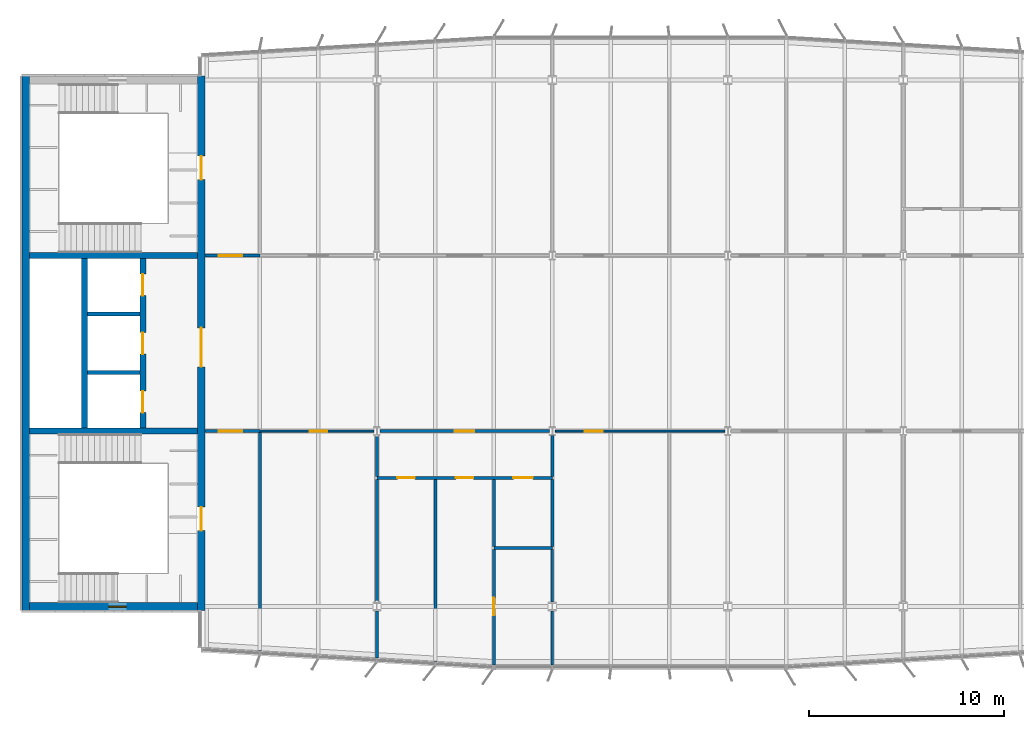
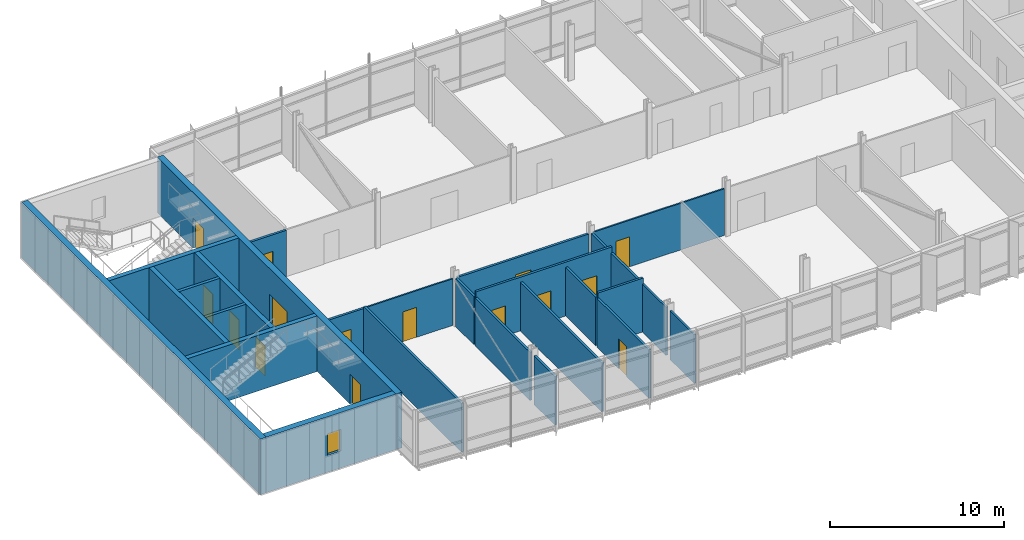
# One storey, part 12 of 18: 27 walls, 15 doors, 1 window, 16 openings.
"""IFC4 building model written with IfcOpenShell, lengths in metres."""

from ifc_helpers import new_model, si_unit, direction, frame, frame_2d, origin, place, context, subcontext, project, spatial, rectangle, extrude, material, layer, layer_set, type_object, element, fill, save


model = new_model("IFC4")

# Units and contexts
model_context = context("Model", 3, precision=1e-05, world=origin(), true_north=direction((0.0, 1.0)))
body_context = subcontext(model_context, "Body", "Model", "MODEL_VIEW")
ifc_project = project(units=[si_unit("LENGTHUNIT", "METRE"), si_unit("AREAUNIT", "SQUARE_METRE"), si_unit("VOLUMEUNIT", "CUBIC_METRE"), si_unit("PLANEANGLEUNIT", "RADIAN"), si_unit("MASSUNIT", "GRAM", prefix="KILO")], contexts=[model_context])

# Site, building, storey
site_placement = place(None, origin())
site = spatial("IfcSite", under=ifc_project, at=site_placement, CompositionType="ELEMENT")
building_placement = place(site_placement, origin())
building = spatial("IfcBuilding", under=site, at=building_placement, Name="Azimuth Sports and Learning Centre", CompositionType="ELEMENT")
storey_placement = place(building_placement, frame((0.0, 0.0, 55.800048828125)))
storey = spatial("IfcBuildingStorey", under=building, at=storey_placement, Name="L12", CompositionType="ELEMENT", Elevation=55.800048828125)

# Walls
ifc_material_1 = material(Name="Dense masonry blockwork", Category="masonry")
ifc_layer_1 = layer(ifc_material_1, 0.199951171875)
ifc_layer_set_1 = layer_set([ifc_layer_1], Name="Dense masonry blockwork")
wall_type_1 = type_object("IfcWallType", Name="Blockwork wall 200 EI 120", PredefinedType="SOLIDWALL", material=ifc_layer_set_1)
for number, where, z_axis, x_axis, name in (
    (1, (57.14990234375, 102.0, 0.0), (0.0, 0.0, 1.0), (1.0, 0.0, 0.0), "SD-W-1-L12"),
    (2, (57.14990234375, 105.0, 0.0), (0.0, 0.0, 1.0), (1.0, 0.0, 0.0), "SD-W-2-L12"),
):
    element("IfcWall", number, at=place(storey_placement, frame(where, z_axis=z_axis, x_axis=x_axis)), inside=storey, type_object=wall_type_1, Name=name, PredefinedType="SOLIDWALL", context=body_context, shape_type="SweptSolid", body=[
        extrude(rectangle(XDim=2.7001953125, YDim=0.199951171875, at=frame_2d((1.35009765625, 0.0))), origin(), (0.0, 0.0, 1.0), 3.89990234375),
    ])

# Wall, opening, door
ifc_material_2 = material(Name="Gypsum board on steel studs", Category="steel")
ifc_layer_2 = layer(ifc_material_2, 0.10009765625)
ifc_layer_set_2 = layer_set([ifc_layer_2], Name="Gypsum board on steel studs")
wall_type_2 = type_object("IfcWallType", Name="Partition 100 EI 30", PredefinedType="PARTITIONING", material=ifc_layer_set_2)
wall_1_placement = place(storey_placement, frame((66.0, 99.0, 0.0), z_axis=(0.0, 0.0, 1.0), x_axis=(1.0, 0.0, 0.0)))
wall_1 = element("IfcWall", 3, at=wall_1_placement, inside=storey, type_object=wall_type_2, Name="Partition Head of School Office 12.07 / Learning Street", PredefinedType="PARTITIONING", context=body_context, shape_type="SweptSolid", body=[
    extrude(rectangle(XDim=5.846435546875, YDim=0.10009765625, at=frame_2d((2.92333984375, 0.0))), origin(), (0.0, 0.0, 1.0), 3.27001953125),
])
opening_1_placement = place(wall_1_placement, frame((2.550048828125, 0.0, 0.0)))
opening_1 = element("IfcOpeningElement", 4, at=opening_1_placement, cuts=wall_1, Name="Opening D12-015", PredefinedType="OPENING", context=body_context, shape_type="SweptSolid", body=[
    extrude(rectangle(XDim=0.89990234375, YDim=2.10009765625, at=frame_2d((0.449951171875, 1.050048828125))), frame((0.0, 0.06103515625, 0.0), z_axis=(0.0, -1.0, 0.0), x_axis=(1.0, 0.0, 0.0)), (0.0, 0.0, 1.0), 0.1220703125),
])
ifc_material_3 = material(Name="Painted steel door set", Category="steel")
door_type_1 = type_object("IfcDoorType", Name="Fire door FD30S 900 x 2100", OperationType="NOTDEFINED", PredefinedType="DOOR", material=ifc_material_3)
door_1_placement = place(opening_1_placement, frame((0.89990234375, 0.0, 0.0), z_axis=(0.0, 0.0, 1.0), x_axis=(-1.0, 0.0, 0.0)))
door_1 = element("IfcDoor", 5, at=door_1_placement, inside=storey, type_object=door_type_1, Name="Door Head of School Office 12.07 / Learning Street", OperationType="SINGLE_SWING_LEFT", OverallHeight=2.10009765625, OverallWidth=0.89990234375, PredefinedType="DOOR", context=body_context, shape_type="SweptSolid", body=[
    extrude(rectangle(XDim=0.89990234375, YDim=2.10009765625, at=frame_2d((0.449951171875, 1.050048828125))), frame((0.0, 0.02490234375, 0.0), z_axis=(0.0, -1.0, 0.0), x_axis=(1.0, 0.0, 0.0)), (0.0, 0.0, 1.0), 0.050048828125),
])
fill(opening_1, door_1)

wall_2_placement = place(storey_placement, frame((81.153564453125, 99.0, 0.0), z_axis=(0.0, 0.0, 1.0), x_axis=(1.0, 0.0, 0.0)))
wall_2 = element("IfcWall", 6, at=wall_2_placement, inside=storey, type_object=wall_type_2, Name="Partition Meeting Room 12.13 / Staff Room 12.14", PredefinedType="PARTITIONING", context=body_context, shape_type="SweptSolid", body=[
    extrude(rectangle(XDim=8.69287109375, YDim=0.10009765625, at=frame_2d((4.346435546875, 0.0))), origin(), (0.0, 0.0, 1.0), 3.27001953125),
])
opening_2_placement = place(wall_2_placement, frame((1.521484375, 0.0, 0.0)))
opening_2 = element("IfcOpeningElement", 7, at=opening_2_placement, cuts=wall_2, Name="Opening D12-017", PredefinedType="OPENING", context=body_context, shape_type="SweptSolid", body=[
    extrude(rectangle(XDim=0.89990234375, YDim=2.10009765625, at=frame_2d((0.449951171875, 1.050048828125))), frame((0.0, 0.06103515625, 0.0), z_axis=(0.0, -1.0, 0.0), x_axis=(1.0, 0.0, 0.0)), (0.0, 0.0, 1.0), 0.1220703125),
])
door_2_placement = place(opening_2_placement, frame((0.89990234375, 0.0, 0.0), z_axis=(0.0, 0.0, 1.0), x_axis=(-1.0, 0.0, 0.0)))
door_2 = element("IfcDoor", 8, at=door_2_placement, inside=storey, type_object=door_type_1, Name="Door Meeting Room 12.13 / Learning Street", OperationType="SINGLE_SWING_RIGHT", OverallHeight=2.10009765625, OverallWidth=0.89990234375, PredefinedType="DOOR", context=body_context, shape_type="SweptSolid", body=[
    extrude(rectangle(XDim=0.89990234375, YDim=2.10009765625, at=frame_2d((0.449951171875, 1.050048828125))), frame((0.0, 0.02490234375, 0.0), z_axis=(0.0, -1.0, 0.0), x_axis=(1.0, 0.0, 0.0)), (0.0, 0.0, 1.0), 0.050048828125),
])
fill(opening_2, door_2)

# Walls
ifc_material_4 = material(Name="Gypsum board on steel studs, acoustic", Category="steel")
ifc_layer_3 = layer(ifc_material_4, 0.125)
ifc_layer_set_3 = layer_set([ifc_layer_3], Name="Gypsum board on steel studs, acoustic")
wall_type_3 = type_object("IfcWallType", Name="Partition 125 EI 60", PredefinedType="PARTITIONING", material=ifc_layer_set_3)
wall_3_placement = place(storey_placement, frame((81.0, 87.0, 0.0), z_axis=(0.0, 0.0, 1.0), x_axis=(0.0, 1.0, 0.0)))
element("IfcWall", 9, at=wall_3_placement, inside=storey, type_object=wall_type_3, Name="Partition Cleaner Store 12.12 / Meeting Room 12.13", PredefinedType="PARTITIONING", context=body_context, shape_type="SweptSolid", body=[
    extrude(rectangle(XDim=2.7724609375, YDim=0.125, at=frame_2d((1.38623046875, 0.0))), origin(), (0.0, 0.0, 1.0), 3.409912109375),
])
wall_4_placement = place(storey_placement, frame((81.0, 90.2275390625, 0.0), z_axis=(0.0, 0.0, 1.0), x_axis=(0.0, 1.0, 0.0)))
element("IfcWall", 10, at=wall_4_placement, inside=storey, type_object=wall_type_3, Name="Partition Cleaner Store 12.12 / Meeting Room 12.13", PredefinedType="PARTITIONING", context=body_context, shape_type="SweptSolid", body=[
    extrude(rectangle(XDim=2.697509765625, YDim=0.125, at=frame_2d((1.3486328125, 0.0))), origin(), (0.0, 0.0, 1.0), 3.369873046875),
])
ifc_material_5 = material(Name="Lightweight blockwork, rendered", Category="masonry")
ifc_layer_4 = layer(ifc_material_5, 0.14990234375)
ifc_layer_set_4 = layer_set([ifc_layer_4], Name="Lightweight blockwork, rendered")
wall_type_4 = type_object("IfcWallType", Name="Partition 150 EI 60", PredefinedType="PARTITIONING", material=ifc_layer_set_4)
wall_5_placement = place(storey_placement, frame((78.0, 93.0, 0.0), z_axis=(0.0, 0.0, 1.0), x_axis=(1.0, 0.0, 0.0)))
element("IfcWall", 11, at=wall_5_placement, inside=storey, type_object=wall_type_4, Name="Partition Accessible WC 12.11 / Cleaner Store 12.12", PredefinedType="PARTITIONING", context=body_context, shape_type="SweptSolid", body=[
    extrude(rectangle(XDim=3.0, YDim=0.14990234375, at=frame_2d((1.5, 0.0))), origin(), (0.0, 0.0, 1.0), 3.77001953125),
])

# Wall, openings, doors
wall_6_placement = place(storey_placement, frame((72.0, 96.60009765625, 0.0), z_axis=(0.0, 0.0, 1.0), x_axis=(1.0, 0.0, 0.0)))
wall_6 = element("IfcWall", 12, at=wall_6_placement, inside=storey, type_object=wall_type_4, Name="Partition WC Lobby 12.08 / Men WC 12.09", PredefinedType="PARTITIONING", context=body_context, shape_type="SweptSolid", body=[
    extrude(rectangle(XDim=9.0, YDim=0.14990234375, at=frame_2d((4.5, 0.0))), origin(), (0.0, 0.0, 1.0), 3.77001953125),
])
opening_3_placement = place(wall_6_placement, frame((1.050048828125, 0.0, 0.0)))
opening_3 = element("IfcOpeningElement", 13, at=opening_3_placement, cuts=wall_6, Name="Opening D12-028", PredefinedType="OPENING", context=body_context, shape_type="SweptSolid", body=[
    extrude(rectangle(XDim=0.89990234375, YDim=2.10009765625, at=frame_2d((0.449951171875, 1.050048828125))), frame((0.0, 0.0859375, 0.0), z_axis=(0.0, -1.0, 0.0), x_axis=(1.0, 0.0, 0.0)), (0.0, 0.0, 1.0), 0.171875),
])
opening_4_placement = place(wall_6_placement, frame((4.050048828125, 0.0, 0.0)))
opening_4 = element("IfcOpeningElement", 14, at=opening_4_placement, cuts=wall_6, Name="Opening D12-029", PredefinedType="OPENING", context=body_context, shape_type="SweptSolid", body=[
    extrude(rectangle(XDim=0.89990234375, YDim=2.10009765625, at=frame_2d((0.449951171875, 1.050048828125))), frame((0.0, 0.0859375, 0.0), z_axis=(0.0, -1.0, 0.0), x_axis=(1.0, 0.0, 0.0)), (0.0, 0.0, 1.0), 0.171875),
])
opening_5_placement = place(wall_6_placement, frame((7.0, 0.0, 0.0)))
opening_5 = element("IfcOpeningElement", 15, at=opening_5_placement, cuts=wall_6, Name="Opening D12-030", PredefinedType="OPENING", context=body_context, shape_type="SweptSolid", body=[
    extrude(rectangle(XDim=1.0, YDim=2.10009765625, at=frame_2d((0.5, 1.050048828125))), frame((0.0, 0.0859375, 0.0), z_axis=(0.0, -1.0, 0.0), x_axis=(1.0, 0.0, 0.0)), (0.0, 0.0, 1.0), 0.171875),
])
ifc_material_6 = material(Name="Painted steel door set", Category="steel")
door_type_2 = type_object("IfcDoorType", Name="Fire door FD60 1000 x 2100", OperationType="NOTDEFINED", PredefinedType="DOOR", material=ifc_material_6)
door_3_placement = place(opening_5_placement, frame((1.0, 0.0, 0.0), z_axis=(0.0, 0.0, 1.0), x_axis=(-1.0, 0.0, 0.0)))
door_3 = element("IfcDoor", 16, at=door_3_placement, inside=storey, type_object=door_type_2, Name="Door WC Lobby 12.08 / Accessible WC 12.11", OperationType="SINGLE_SWING_RIGHT", OverallHeight=2.10009765625, OverallWidth=1.0, PredefinedType="DOOR", context=body_context, shape_type="SweptSolid", body=[
    extrude(rectangle(XDim=1.0, YDim=2.10009765625, at=frame_2d((0.5, 1.050048828125))), frame((0.0, 0.02490234375, 0.0), z_axis=(0.0, -1.0, 0.0), x_axis=(1.0, 0.0, 0.0)), (0.0, 0.0, 1.0), 0.050048828125),
])
fill(opening_5, door_3)
ifc_material_7 = material(Name="Painted steel door set", Category="steel")
door_type_3 = type_object("IfcDoorType", Name="Fire door FD60 900 x 2100", OperationType="NOTDEFINED", PredefinedType="DOOR", material=ifc_material_7)
door_4_placement = place(opening_3_placement, origin())
door_4 = element("IfcDoor", 17, at=door_4_placement, inside=storey, type_object=door_type_3, Name="Door WC Lobby 12.08 / Men WC 12.09", OperationType="SINGLE_SWING_LEFT", OverallHeight=2.10009765625, OverallWidth=0.89990234375, PredefinedType="DOOR", context=body_context, shape_type="SweptSolid", body=[
    extrude(rectangle(XDim=0.89990234375, YDim=2.10009765625, at=frame_2d((0.449951171875, 1.050048828125))), frame((0.0, 0.02490234375, 0.0), z_axis=(0.0, -1.0, 0.0), x_axis=(1.0, 0.0, 0.0)), (0.0, 0.0, 1.0), 0.050048828125),
])
fill(opening_3, door_4)
door_5_placement = place(opening_4_placement, origin())
door_5 = element("IfcDoor", 18, at=door_5_placement, inside=storey, type_object=door_type_3, Name="Door WC Lobby 12.08 / Women WC 12.10", OperationType="SINGLE_SWING_LEFT", OverallHeight=2.10009765625, OverallWidth=0.89990234375, PredefinedType="DOOR", context=body_context, shape_type="SweptSolid", body=[
    extrude(rectangle(XDim=0.89990234375, YDim=2.10009765625, at=frame_2d((0.449951171875, 1.050048828125))), frame((0.0, 0.02490234375, 0.0), z_axis=(0.0, -1.0, 0.0), x_axis=(1.0, 0.0, 0.0)), (0.0, 0.0, 1.0), 0.050048828125),
])
fill(opening_4, door_5)

# Wall, opening, door
wall_7_placement = place(storey_placement, frame((63.199951171875, 99.0, 0.0), z_axis=(0.0, 0.0, 1.0), x_axis=(1.0, 0.0, 0.0)))
wall_7 = element("IfcWall", 19, at=wall_7_placement, inside=storey, type_object=wall_type_4, Name="Partition Stair Lobby W1 12.01 / Learning Street", PredefinedType="PARTITIONING", context=body_context, shape_type="SweptSolid", body=[
    extrude(rectangle(XDim=2.800048828125, YDim=0.14990234375, at=frame_2d((1.39990234375, 0.0))), origin(), (0.0, 0.0, 1.0), 3.27001953125),
])
opening_6_placement = place(wall_7_placement, frame((0.699951171875, 0.0, 0.0)))
opening_6 = element("IfcOpeningElement", 20, at=opening_6_placement, cuts=wall_7, Name="Opening D12-011", PredefinedType="OPENING", context=body_context, shape_type="SweptSolid", body=[
    extrude(rectangle(XDim=1.199951171875, YDim=2.10009765625, at=frame_2d((0.60009765625, 1.050048828125))), frame((0.0, 0.0859375, 0.0), z_axis=(0.0, -1.0, 0.0), x_axis=(1.0, 0.0, 0.0)), (0.0, 0.0, 1.0), 0.171875),
])
ifc_material_8 = material(Name="Painted steel door set", Category="steel")
door_type_4 = type_object("IfcDoorType", Name="Fire door FD60 1200 x 2100", OperationType="NOTDEFINED", PredefinedType="DOOR", material=ifc_material_8)
door_6_placement = place(opening_6_placement, frame((1.199951171875, 0.0, 0.0), z_axis=(0.0, 0.0, 1.0), x_axis=(-1.0, 0.0, 0.0)))
door_6 = element("IfcDoor", 21, at=door_6_placement, inside=storey, type_object=door_type_4, Name="Door Stair Lobby W1 12.01 / Learning Street", OperationType="SINGLE_SWING_RIGHT", OverallHeight=2.10009765625, OverallWidth=1.199951171875, PredefinedType="DOOR", context=body_context, shape_type="SweptSolid", body=[
    extrude(rectangle(XDim=1.199951171875, YDim=2.10009765625, at=frame_2d((0.60009765625, 1.050048828125))), frame((0.0, 0.02490234375, 0.0), z_axis=(0.0, -1.0, 0.0), x_axis=(1.0, 0.0, 0.0)), (0.0, 0.0, 1.0), 0.050048828125),
])
fill(opening_6, door_6)

wall_8_placement = place(storey_placement, frame((72.153564453125, 99.0, 0.0), z_axis=(0.0, 0.0, 1.0), x_axis=(1.0, 0.0, 0.0)))
wall_8 = element("IfcWall", 22, at=wall_8_placement, inside=storey, type_object=wall_type_4, Name="Partition WC Lobby 12.08 / Learning Street", PredefinedType="PARTITIONING", context=body_context, shape_type="SweptSolid", body=[
    extrude(rectangle(XDim=8.69287109375, YDim=0.14990234375, at=frame_2d((4.346435546875, 0.0))), origin(), (0.0, 0.0, 1.0), 3.27001953125),
])
opening_7_placement = place(wall_8_placement, frame((3.846435546875, 0.0, 0.0)))
opening_7 = element("IfcOpeningElement", 23, at=opening_7_placement, cuts=wall_8, Name="Opening D12-016", PredefinedType="OPENING", context=body_context, shape_type="SweptSolid", body=[
    extrude(rectangle(XDim=1.0, YDim=2.10009765625, at=frame_2d((0.5, 1.050048828125))), frame((0.0, 0.0859375, 0.0), z_axis=(0.0, -1.0, 0.0), x_axis=(1.0, 0.0, 0.0)), (0.0, 0.0, 1.0), 0.171875),
])
door_7_placement = place(opening_7_placement, frame((1.0, 0.0, 0.0), z_axis=(0.0, 0.0, 1.0), x_axis=(-1.0, 0.0, 0.0)))
door_7 = element("IfcDoor", 24, at=door_7_placement, inside=storey, type_object=door_type_2, Name="Door WC Lobby 12.08 / Learning Street", OperationType="SINGLE_SWING_RIGHT", OverallHeight=2.10009765625, OverallWidth=1.0, PredefinedType="DOOR", context=body_context, shape_type="SweptSolid", body=[
    extrude(rectangle(XDim=1.0, YDim=2.10009765625, at=frame_2d((0.5, 1.050048828125))), frame((0.0, 0.02490234375, 0.0), z_axis=(0.0, -1.0, 0.0), x_axis=(1.0, 0.0, 0.0)), (0.0, 0.0, 1.0), 0.050048828125),
])
fill(opening_7, door_7)

wall_9_placement = place(storey_placement, frame((63.199951171875, 108.0, 0.0), z_axis=(0.0, 0.0, 1.0), x_axis=(1.0, 0.0, 0.0)))
wall_9 = element("IfcWall", 25, at=wall_9_placement, inside=storey, type_object=wall_type_4, Name="Partition Stair Lobby W2 12.02 / Learning Street", PredefinedType="PARTITIONING", context=body_context, shape_type="SweptSolid", body=[
    extrude(rectangle(XDim=2.800048828125, YDim=0.14990234375, at=frame_2d((1.39990234375, 0.0))), origin(), (0.0, 0.0, 1.0), 3.27001953125),
])
opening_8_placement = place(wall_9_placement, frame((0.699951171875, 0.0, 0.0)))
opening_8 = element("IfcOpeningElement", 26, at=opening_8_placement, cuts=wall_9, Name="Opening D12-012", PredefinedType="OPENING", context=body_context, shape_type="SweptSolid", body=[
    extrude(rectangle(XDim=1.199951171875, YDim=2.10009765625, at=frame_2d((0.60009765625, 1.050048828125))), frame((0.0, 0.0859375, 0.0), z_axis=(0.0, -1.0, 0.0), x_axis=(1.0, 0.0, 0.0)), (0.0, 0.0, 1.0), 0.171875),
])
door_8_placement = place(opening_8_placement, origin())
door_8 = element("IfcDoor", 27, at=door_8_placement, inside=storey, type_object=door_type_4, Name="Door Stair Lobby W2 12.02 / Learning Street", OperationType="SINGLE_SWING_LEFT", OverallHeight=2.10009765625, OverallWidth=1.199951171875, PredefinedType="DOOR", context=body_context, shape_type="SweptSolid", body=[
    extrude(rectangle(XDim=1.199951171875, YDim=2.10009765625, at=frame_2d((0.60009765625, 1.050048828125))), frame((0.0, 0.02490234375, 0.0), z_axis=(0.0, -1.0, 0.0), x_axis=(1.0, 0.0, 0.0)), (0.0, 0.0, 1.0), 0.050048828125),
])
fill(opening_8, door_8)

# Walls
wall_10_placement = place(storey_placement, frame((66.0, 87.719970703125, 0.0), z_axis=(0.0, 0.0, 1.0), x_axis=(0.0, 1.0, 0.0)))
element("IfcWall", 28, at=wall_10_placement, inside=storey, type_object=wall_type_4, Name="Partition Stair Lobby W1 12.01 / Head of School Office 12.07", PredefinedType="PARTITIONING", context=body_context, shape_type="SweptSolid", body=[
    extrude(rectangle(XDim=11.205078125, YDim=0.14990234375, at=frame_2d((5.6025390625, 0.0))), origin(), (0.0, 0.0, 1.0), 3.409912109375),
])
wall_11_placement = place(storey_placement, frame((72.0, 87.360107421875, 0.0), z_axis=(0.0, 0.0, 1.0), x_axis=(0.0, 1.0, 0.0)))
element("IfcWall", 29, at=wall_11_placement, inside=storey, type_object=wall_type_4, Name="Partition Head of School Office 12.07 / WC Lobby 12.08", PredefinedType="PARTITIONING", context=body_context, shape_type="SweptSolid", body=[
    extrude(rectangle(XDim=2.412353515625, YDim=0.14990234375, at=frame_2d((1.2060546875, 0.0))), origin(), (0.0, 0.0, 1.0), 3.409912109375),
])
wall_12_placement = place(storey_placement, frame((72.0, 90.2275390625, 0.0), z_axis=(0.0, 0.0, 1.0), x_axis=(0.0, 1.0, 0.0)))
element("IfcWall", 30, at=wall_12_placement, inside=storey, type_object=wall_type_4, Name="Partition Head of School Office 12.07 / WC Lobby 12.08", PredefinedType="PARTITIONING", context=body_context, shape_type="SweptSolid", body=[
    extrude(rectangle(XDim=6.29736328125, YDim=0.14990234375, at=frame_2d((3.148681640625, 0.0))), origin(), (0.0, 0.0, 1.0), 3.369873046875),
])
wall_13_placement = place(storey_placement, frame((72.0, 96.675048828125, 0.0), z_axis=(0.0, 0.0, 1.0), x_axis=(0.0, 1.0, 0.0)))
element("IfcWall", 31, at=wall_13_placement, inside=storey, type_object=wall_type_4, Name="Partition Head of School Office 12.07 / WC Lobby 12.08", PredefinedType="PARTITIONING", context=body_context, shape_type="SweptSolid", body=[
    extrude(rectangle(XDim=2.10888671875, YDim=0.14990234375, at=frame_2d((1.054443359375, 0.0))), origin(), (0.0, 0.0, 1.0), 3.369873046875),
])
wall_14_placement = place(storey_placement, frame((75.0, 87.179931640625, 0.0), z_axis=(0.0, 0.0, 1.0), x_axis=(0.0, 1.0, 0.0)))
element("IfcWall", 32, at=wall_14_placement, inside=storey, type_object=wall_type_4, Name="Partition Men WC 12.09 / Women WC 12.10", PredefinedType="PARTITIONING", context=body_context, shape_type="SweptSolid", body=[
    extrude(rectangle(XDim=9.344970703125, YDim=0.14990234375, at=frame_2d((4.67236328125, 0.0))), origin(), (0.0, 0.0, 1.0), 3.409912109375),
])

# Wall, opening, door
wall_15_placement = place(storey_placement, frame((78.0, 87.0, 0.0), z_axis=(0.0, 0.0, 1.0), x_axis=(0.0, 1.0, 0.0)))
wall_15 = element("IfcWall", 33, at=wall_15_placement, inside=storey, type_object=wall_type_4, Name="Partition Women WC 12.10 / Accessible WC 12.11", PredefinedType="PARTITIONING", context=body_context, shape_type="SweptSolid", body=[
    extrude(rectangle(XDim=5.925048828125, YDim=0.14990234375, at=frame_2d((2.96240234375, 0.0))), origin(), (0.0, 0.0, 1.0), 3.409912109375),
])
opening_9_placement = place(wall_15_placement, frame((2.550048828125, 0.0, 0.0)))
opening_9 = element("IfcOpeningElement", 34, at=opening_9_placement, cuts=wall_15, Name="Opening D12-031", PredefinedType="OPENING", context=body_context, shape_type="SweptSolid", body=[
    extrude(rectangle(XDim=0.89990234375, YDim=2.10009765625, at=frame_2d((0.449951171875, 1.050048828125))), frame((0.0, 0.0859375, 0.0), z_axis=(0.0, -1.0, 0.0), x_axis=(1.0, 0.0, 0.0)), (0.0, 0.0, 1.0), 0.171875),
])
door_9_placement = place(opening_9_placement, frame((0.89990234375, 0.0, 0.0), z_axis=(0.0, 0.0, 1.0), x_axis=(-1.0, 0.0, 0.0)))
door_9 = element("IfcDoor", 35, at=door_9_placement, inside=storey, type_object=door_type_3, Name="Door Women WC 12.10 / Cleaner Store 12.12", OperationType="SINGLE_SWING_LEFT", OverallHeight=2.10009765625, OverallWidth=0.89990234375, PredefinedType="DOOR", context=body_context, shape_type="SweptSolid", body=[
    extrude(rectangle(XDim=0.89990234375, YDim=2.10009765625, at=frame_2d((0.449951171875, 1.050048828125))), frame((0.0, 0.02490234375, 0.0), z_axis=(0.0, -1.0, 0.0), x_axis=(1.0, 0.0, 0.0)), (0.0, 0.0, 1.0), 0.050048828125),
])
fill(opening_9, door_9)

# Walls
wall_16_placement = place(storey_placement, frame((78.0, 93.074951171875, 0.0), z_axis=(0.0, 0.0, 1.0), x_axis=(0.0, 1.0, 0.0)))
element("IfcWall", 36, at=wall_16_placement, inside=storey, type_object=wall_type_4, Name="Partition Women WC 12.10 / Accessible WC 12.11", PredefinedType="PARTITIONING", context=body_context, shape_type="SweptSolid", body=[
    extrude(rectangle(XDim=3.449951171875, YDim=0.14990234375, at=frame_2d((1.72509765625, 0.0))), origin(), (0.0, 0.0, 1.0), 3.409912109375),
])
wall_17_placement = place(storey_placement, frame((81.0, 93.074951171875, 0.0), z_axis=(0.0, 0.0, 1.0), x_axis=(0.0, 1.0, 0.0)))
element("IfcWall", 37, at=wall_17_placement, inside=storey, type_object=wall_type_4, Name="Partition WC Lobby 12.08 / Accessible WC 12.11", PredefinedType="PARTITIONING", context=body_context, shape_type="SweptSolid", body=[
    extrude(rectangle(XDim=3.449951171875, YDim=0.14990234375, at=frame_2d((1.72509765625, 0.0))), origin(), (0.0, 0.0, 1.0), 3.369873046875),
])
wall_18_placement = place(storey_placement, frame((81.0, 96.675048828125, 0.0), z_axis=(0.0, 0.0, 1.0), x_axis=(0.0, 1.0, 0.0)))
element("IfcWall", 38, at=wall_18_placement, inside=storey, type_object=wall_type_4, Name="Partition WC Lobby 12.08 / Accessible WC 12.11", PredefinedType="PARTITIONING", context=body_context, shape_type="SweptSolid", body=[
    extrude(rectangle(XDim=2.10888671875, YDim=0.14990234375, at=frame_2d((1.054443359375, 0.0))), origin(), (0.0, 0.0, 1.0), 3.369873046875),
])
ifc_material_9 = material(Name="Concrete C40/50", Category="concrete")
ifc_layer_5 = layer(ifc_material_9, 0.300048828125)
ifc_layer_set_5 = layer_set([ifc_layer_5], Name="Concrete C40/50")
wall_type_5 = type_object("IfcWallType", Name="RC core wall 300", PredefinedType="SHEAR", material=ifc_layer_set_5)
for number, where, z_axis, x_axis, name in (
    (39, (54.199951171875, 99.0, 0.0), (0.0, 0.0, 1.0), (1.0, 0.0, 0.0), "Core wall W D1 L12"),
    (40, (54.199951171875, 108.0, 0.0), (0.0, 0.0, 1.0), (1.0, 0.0, 0.0), "Core wall W D2 L12"),
):
    element("IfcWall", number, at=place(storey_placement, frame(where, z_axis=z_axis, x_axis=x_axis)), inside=storey, type_object=wall_type_5, Name=name, PredefinedType="SHEAR", context=body_context, shape_type="SweptSolid", body=[
        extrude(rectangle(XDim=8.60009765625, YDim=0.300048828125, at=frame_2d((4.300048828125, 0.0))), origin(), (0.0, 0.0, 1.0), 3.89990234375),
    ])
wall_19_placement = place(storey_placement, frame((57.0, 99.14990234375, 0.0), z_axis=(0.0, 0.0, 1.0), x_axis=(0.0, 1.0, 0.0)))
element("IfcWall", 41, at=wall_19_placement, inside=storey, type_object=wall_type_5, Name="Core wall W LB1 L12", PredefinedType="SHEAR", context=body_context, shape_type="SweptSolid", body=[
    extrude(rectangle(XDim=8.7001953125, YDim=0.300048828125, at=frame_2d((4.35009765625, 0.0))), origin(), (0.0, 0.0, 1.0), 3.89990234375),
])

# Wall, openings, doors
wall_20_placement = place(storey_placement, frame((60.0, 99.14990234375, 0.0), z_axis=(0.0, 0.0, 1.0), x_axis=(0.0, 1.0, 0.0)))
wall_20 = element("IfcWall", 42, at=wall_20_placement, inside=storey, type_object=wall_type_5, Name="Core wall W LB2 L12", PredefinedType="SHEAR", context=body_context, shape_type="SweptSolid", body=[
    extrude(rectangle(XDim=8.7001953125, YDim=0.300048828125, at=frame_2d((4.35009765625, 0.0))), origin(), (0.0, 0.0, 1.0), 3.89990234375),
])
opening_10_placement = place(wall_20_placement, frame((0.800048828125, 0.0, 0.0)))
opening_10 = element("IfcOpeningElement", 43, at=opening_10_placement, cuts=wall_20, Name="Opening D12-005", PredefinedType="OPENING", context=body_context, shape_type="SweptSolid", body=[
    extrude(rectangle(XDim=1.10009765625, YDim=2.10009765625, at=frame_2d((0.550048828125, 1.050048828125))), frame((0.0, 0.1611328125, 0.0), z_axis=(0.0, -1.0, 0.0), x_axis=(1.0, 0.0, 0.0)), (0.0, 0.0, 1.0), 0.322021484375),
])
opening_11_placement = place(wall_20_placement, frame((3.800048828125, 0.0, 0.0)))
opening_11 = element("IfcOpeningElement", 44, at=opening_11_placement, cuts=wall_20, Name="Opening D12-006", PredefinedType="OPENING", context=body_context, shape_type="SweptSolid", body=[
    extrude(rectangle(XDim=1.10009765625, YDim=2.10009765625, at=frame_2d((0.550048828125, 1.050048828125))), frame((0.0, 0.1611328125, 0.0), z_axis=(0.0, -1.0, 0.0), x_axis=(1.0, 0.0, 0.0)), (0.0, 0.0, 1.0), 0.322021484375),
])
opening_12_placement = place(wall_20_placement, frame((6.800048828125, 0.0, 0.0)))
opening_12 = element("IfcOpeningElement", 45, at=opening_12_placement, cuts=wall_20, Name="Opening D12-007", PredefinedType="OPENING", context=body_context, shape_type="SweptSolid", body=[
    extrude(rectangle(XDim=1.10009765625, YDim=2.10009765625, at=frame_2d((0.550048828125, 1.050048828125))), frame((0.0, 0.1611328125, 0.0), z_axis=(0.0, -1.0, 0.0), x_axis=(1.0, 0.0, 0.0)), (0.0, 0.0, 1.0), 0.322021484375),
])
ifc_material_10 = material(Name="Stainless steel", Category="steel")
door_type_5 = type_object("IfcDoorType", Name="Lift landing door 1100 x 2100", OperationType="DOUBLE_DOOR_SLIDING", PredefinedType="DOOR", material=ifc_material_10)
door_10_placement = place(opening_10_placement, origin())
door_10 = element("IfcDoor", 46, at=door_10_placement, inside=storey, type_object=door_type_5, Name="Landing door LW1 L12", OperationType="DOUBLE_DOOR_SLIDING", OverallHeight=2.10009765625, OverallWidth=1.10009765625, PredefinedType="DOOR", context=body_context, shape_type="SweptSolid", body=[
    extrude(rectangle(XDim=1.10009765625, YDim=2.10009765625, at=frame_2d((0.550048828125, 1.050048828125))), frame((0.0, 0.02490234375, 0.0), z_axis=(0.0, -1.0, 0.0), x_axis=(1.0, 0.0, 0.0)), (0.0, 0.0, 1.0), 0.050048828125),
])
fill(opening_10, door_10)
door_11_placement = place(opening_11_placement, origin())
door_11 = element("IfcDoor", 47, at=door_11_placement, inside=storey, type_object=door_type_5, Name="Landing door LW2 L12", OperationType="DOUBLE_DOOR_SLIDING", OverallHeight=2.10009765625, OverallWidth=1.10009765625, PredefinedType="DOOR", context=body_context, shape_type="SweptSolid", body=[
    extrude(rectangle(XDim=1.10009765625, YDim=2.10009765625, at=frame_2d((0.550048828125, 1.050048828125))), frame((0.0, 0.02490234375, 0.0), z_axis=(0.0, -1.0, 0.0), x_axis=(1.0, 0.0, 0.0)), (0.0, 0.0, 1.0), 0.050048828125),
])
fill(opening_11, door_11)
door_12_placement = place(opening_12_placement, origin())
door_12 = element("IfcDoor", 48, at=door_12_placement, inside=storey, type_object=door_type_5, Name="Landing door LW3 L12", OperationType="DOUBLE_DOOR_SLIDING", OverallHeight=2.10009765625, OverallWidth=1.10009765625, PredefinedType="DOOR", context=body_context, shape_type="SweptSolid", body=[
    extrude(rectangle(XDim=1.10009765625, YDim=2.10009765625, at=frame_2d((0.550048828125, 1.050048828125))), frame((0.0, 0.02490234375, 0.0), z_axis=(0.0, -1.0, 0.0), x_axis=(1.0, 0.0, 0.0)), (0.0, 0.0, 1.0), 0.050048828125),
])
fill(opening_12, door_12)

ifc_material_11 = material(Name="Concrete C40/50", Category="concrete")
ifc_layer_6 = layer(ifc_material_11, 0.39990234375)
ifc_layer_set_6 = layer_set([ifc_layer_6], Name="Concrete C40/50")
wall_type_6 = type_object("IfcWallType", Name="RC core wall 400", PredefinedType="SHEAR", material=ifc_layer_set_6)
wall_21_placement = place(storey_placement, frame((63.0, 89.800048828125, 0.0), z_axis=(0.0, 0.0, 1.0), x_axis=(0.0, 1.0, 0.0)))
wall_21 = element("IfcWall", 49, at=wall_21_placement, inside=storey, type_object=wall_type_6, Name="Core wall W E L12", PredefinedType="SHEAR", context=body_context, shape_type="SweptSolid", body=[
    extrude(rectangle(XDim=27.39990234375, YDim=0.39990234375, at=frame_2d((13.699951171875, 0.0))), origin(), (0.0, 0.0, 1.0), 3.89990234375),
])
opening_13_placement = place(wall_21_placement, frame((4.10009765625, 0.0, 0.0)))
opening_13 = element("IfcOpeningElement", 50, at=opening_13_placement, cuts=wall_21, Name="Opening D12-001", PredefinedType="OPENING", context=body_context, shape_type="SweptSolid", body=[
    extrude(rectangle(XDim=1.199951171875, YDim=2.10009765625, at=frame_2d((0.60009765625, 1.050048828125))), frame((0.0, 0.2109375, 0.0), z_axis=(0.0, -1.0, 0.0), x_axis=(1.0, 0.0, 0.0)), (0.0, 0.0, 1.0), 0.421875),
])
opening_14_placement = place(wall_21_placement, frame((22.10009765625, 0.0, 0.0)))
opening_14 = element("IfcOpeningElement", 51, at=opening_14_placement, cuts=wall_21, Name="Opening D12-002", PredefinedType="OPENING", context=body_context, shape_type="SweptSolid", body=[
    extrude(rectangle(XDim=1.199951171875, YDim=2.10009765625, at=frame_2d((0.60009765625, 1.050048828125))), frame((0.0, 0.2109375, 0.0), z_axis=(0.0, -1.0, 0.0), x_axis=(1.0, 0.0, 0.0)), (0.0, 0.0, 1.0), 0.421875),
])
opening_15_placement = place(wall_21_placement, frame((12.5, 0.0, 0.0)))
opening_15 = element("IfcOpeningElement", 52, at=opening_15_placement, cuts=wall_21, Name="Opening D12-034", PredefinedType="OPENING", context=body_context, shape_type="SweptSolid", body=[
    extrude(rectangle(XDim=2.0, YDim=2.10009765625, at=frame_2d((1.0, 1.050048828125))), frame((0.0, 0.2109375, 0.0), z_axis=(0.0, -1.0, 0.0), x_axis=(1.0, 0.0, 0.0)), (0.0, 0.0, 1.0), 0.421875),
])
ifc_material_12 = material(Name="Painted steel door set", Category="steel")
door_type_6 = type_object("IfcDoorType", Name="Fire door FD120 2000 x 2100 double leaf", OperationType="DOUBLE_DOOR_SINGLE_SWING", PredefinedType="DOOR", material=ifc_material_12)
door_13_placement = place(opening_15_placement, origin())
door_13 = element("IfcDoor", 53, at=door_13_placement, inside=storey, type_object=door_type_6, Name="Door Lift Lobby W 12.05 / Learning Street", OperationType="DOUBLE_DOOR_SINGLE_SWING", OverallHeight=2.10009765625, OverallWidth=2.0, PredefinedType="DOOR", context=body_context, shape_type="SweptSolid", body=[
    extrude(rectangle(XDim=2.0, YDim=2.10009765625, at=frame_2d((1.0, 1.050048828125))), frame((0.0, 0.02490234375, 0.0), z_axis=(0.0, -1.0, 0.0), x_axis=(1.0, 0.0, 0.0)), (0.0, 0.0, 1.0), 0.050048828125),
])
fill(opening_15, door_13)
ifc_material_13 = material(Name="Steel", Category="steel")
door_type_7 = type_object("IfcDoorType", Name="Stair fire door 1200 x 2100", OperationType="NOTDEFINED", PredefinedType="DOOR", material=ifc_material_13)
door_14_placement = place(opening_13_placement, origin())
door_14 = element("IfcDoor", 54, at=door_14_placement, inside=storey, type_object=door_type_7, Name="Stair door W1 L12", OperationType="SINGLE_SWING_LEFT", OverallHeight=2.10009765625, OverallWidth=1.199951171875, PredefinedType="DOOR", context=body_context, shape_type="SweptSolid", body=[
    extrude(rectangle(XDim=1.199951171875, YDim=2.10009765625, at=frame_2d((0.60009765625, 1.050048828125))), frame((0.0, 0.02490234375, 0.0), z_axis=(0.0, -1.0, 0.0), x_axis=(1.0, 0.0, 0.0)), (0.0, 0.0, 1.0), 0.050048828125),
])
fill(opening_13, door_14)
door_15_placement = place(opening_14_placement, origin())
door_15 = element("IfcDoor", 55, at=door_15_placement, inside=storey, type_object=door_type_7, Name="Stair door W2 L12", OperationType="SINGLE_SWING_LEFT", OverallHeight=2.10009765625, OverallWidth=1.199951171875, PredefinedType="DOOR", context=body_context, shape_type="SweptSolid", body=[
    extrude(rectangle(XDim=1.199951171875, YDim=2.10009765625, at=frame_2d((0.60009765625, 1.050048828125))), frame((0.0, 0.02490234375, 0.0), z_axis=(0.0, -1.0, 0.0), x_axis=(1.0, 0.0, 0.0)), (0.0, 0.0, 1.0), 0.050048828125),
])
fill(opening_14, door_15)

# Wall, opening, window
ifc_material_14 = material(Name="Concrete C40/50", Category="concrete")
ifc_layer_7 = layer(ifc_material_14, 0.39990234375)
ifc_layer_set_7 = layer_set([ifc_layer_7], Name="Concrete C40/50")
wall_type_7 = type_object("IfcWallType", Name="RC external core wall 400", PredefinedType="SHEAR", material=ifc_layer_set_7)
wall_22_placement = place(storey_placement, frame((54.199951171875, 90.0, 0.0), z_axis=(0.0, 0.0, 1.0), x_axis=(1.0, 0.0, 0.0)))
wall_22 = element("IfcWall", 56, at=wall_22_placement, inside=storey, type_object=wall_type_7, Name="Core wall W S L12", PredefinedType="SHEAR", context=body_context, shape_type="SweptSolid", body=[
    extrude(rectangle(XDim=8.60009765625, YDim=0.39990234375, at=frame_2d((4.300048828125, 0.0))), origin(), (0.0, 0.0, 1.0), 3.89990234375),
])
opening_16_placement = place(wall_22_placement, frame((4.050048828125, 0.0, 1.199951171875)))
opening_16 = element("IfcOpeningElement", 57, at=opening_16_placement, cuts=wall_22, Name="Opening W12-001", PredefinedType="OPENING", context=body_context, shape_type="SweptSolid", body=[
    extrude(rectangle(XDim=0.89990234375, YDim=1.5, at=frame_2d((0.449951171875, 0.75))), frame((0.0, 0.2109375, 0.0), z_axis=(0.0, -1.0, 0.0), x_axis=(1.0, 0.0, 0.0)), (0.0, 0.0, 1.0), 0.421875),
])
ifc_material_15 = material(Name="Aluminium and glass", Category="aluminium")
window_type = type_object("IfcWindowType", Name="Stair window tower core 900x1500", PartitioningType="SINGLE_PANEL", PredefinedType="WINDOW", material=ifc_material_15)
window_placement = place(opening_16_placement, origin())
window = element("IfcWindow", 58, at=window_placement, inside=storey, type_object=window_type, Name="Window W12-001", OverallHeight=1.5, OverallWidth=0.89990234375, PartitioningType="SINGLE_PANEL", PredefinedType="WINDOW", context=body_context, shape_type="SweptSolid", body=[
    extrude(rectangle(XDim=0.89990234375, YDim=1.5, at=frame_2d((0.449951171875, 0.75))), frame((0.0, 0.030029296875, 0.0), z_axis=(0.0, -1.0, 0.0), x_axis=(1.0, 0.0, 0.0)), (0.0, 0.0, 1.0), 0.06005859375),
])
fill(opening_16, window)

# Wall
wall_23_placement = place(storey_placement, frame((54.0, 89.800048828125, 0.0), z_axis=(0.0, 0.0, 1.0), x_axis=(0.0, 1.0, 0.0)))
element("IfcWall", 59, at=wall_23_placement, inside=storey, type_object=wall_type_7, Name="Core wall W W L12", PredefinedType="SHEAR", context=body_context, shape_type="SweptSolid", body=[
    extrude(rectangle(XDim=27.39990234375, YDim=0.39990234375, at=frame_2d((13.699951171875, 0.0))), origin(), (0.0, 0.0, 1.0), 3.89990234375),
])

save(model, "model.ifc")
